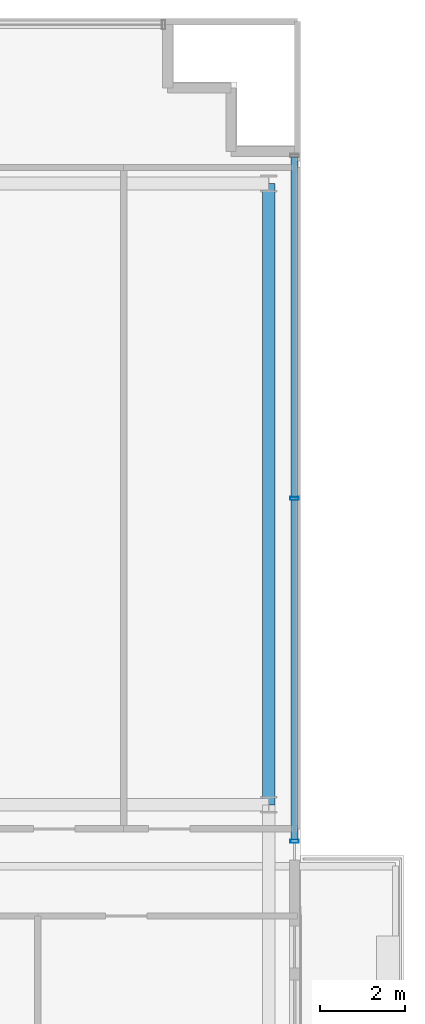
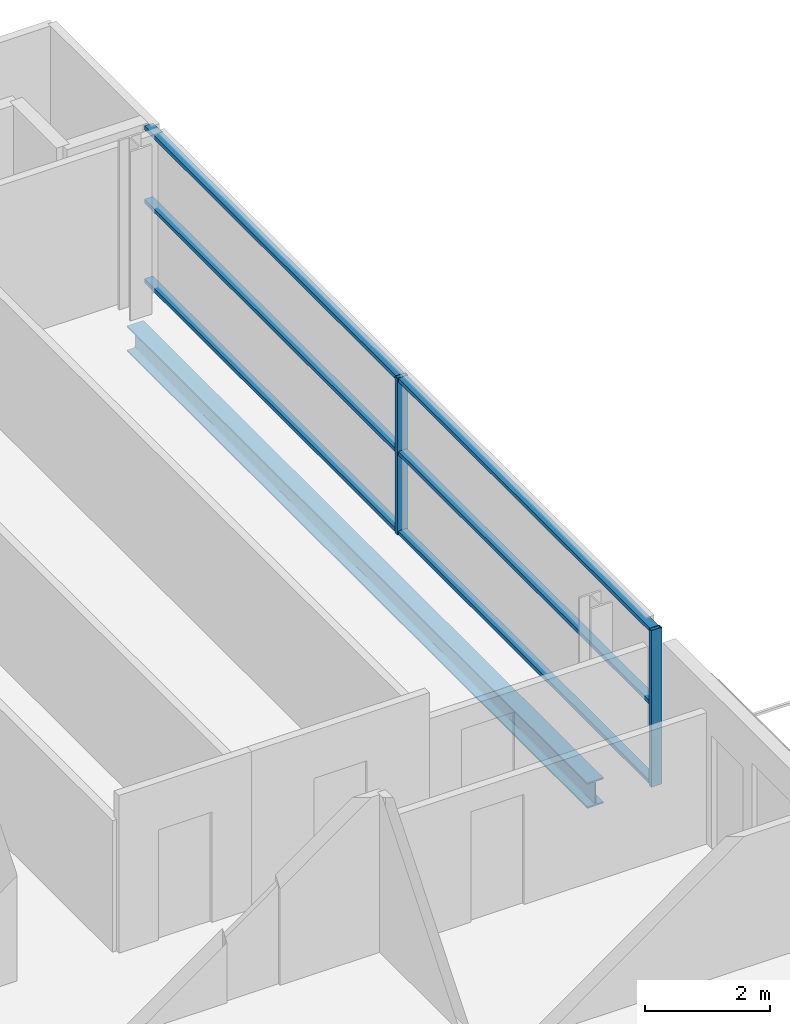
# One storey, part 9 of 21: 8 members, 1 beam, 1 element without a shape of its own.
"""IFC4 building model written with IfcOpenShell, lengths in metres."""

from ifc_helpers import new_model, si_unit, direction, frame, origin, origin_2d, place, context, subcontext, project, spatial, hollow_rectangle, i_section, extrude, source, transform, mapped, material, layer, layer_set, material_profile, profile_set, type_object, element, aggregate, save


model = new_model("IFC4")

# Units and contexts
model_context = context("Model", 3, precision=1e-05, world=origin(), true_north=direction((0.0, 1.0)))
body_context = subcontext(model_context, "Body", "Model", "MODEL_VIEW")
ifc_project = project(units=[si_unit("LENGTHUNIT", "METRE"), si_unit("AREAUNIT", "SQUARE_METRE"), si_unit("VOLUMEUNIT", "CUBIC_METRE"), si_unit("PLANEANGLEUNIT", "RADIAN"), si_unit("MASSUNIT", "GRAM", prefix="KILO")], contexts=[model_context])

# Site, building, storey
site_placement = place(None, origin())
site = spatial("IfcSite", under=ifc_project, at=site_placement, CompositionType="ELEMENT")
building_placement = place(site_placement, origin())
building = spatial("IfcBuilding", under=site, at=building_placement, Name="Zarnakvel Exchange Tower", CompositionType="ELEMENT")
storey_placement = place(building_placement, frame((0.0, 0.0, 182.5)))
storey = spatial("IfcBuildingStorey", under=building, at=storey_placement, Name="L51", CompositionType="ELEMENT", Elevation=182.5)

# Beam
ifc_material_1 = material(Name="Steel S355", Category="steel")
ifc_material_profile_1 = material_profile(ifc_material_1, i_section(OverallWidth=0.300048828125, OverallDepth=0.5, WebThickness=0.014404296875, FlangeThickness=0.028076171875, FilletRadius=0.027099609375, at=origin_2d()))
ifc_profile_set_1 = profile_set([ifc_material_profile_1], Name="Steel S355")
beam_type = type_object("IfcBeamType", Name="SP-02", PredefinedType="SPANDREL", material=ifc_profile_set_1)
beam_placement = place(storey_placement, frame((25.85009765625, -1.199951171875, -0.47509765625), z_axis=(0.0, 1.0, 0.0), x_axis=(-1.0, 0.0, 0.0)))
element("IfcBeam", 1, at=beam_placement, inside=storey, type_object=beam_type, Name="L51 Tower N-S Frame Beam", PredefinedType="SPANDREL", context=body_context, shape_type="SweptSolid", body=[
    extrude(i_section(OverallWidth=0.300048828125, OverallDepth=0.5, WebThickness=0.014404296875, FlangeThickness=0.028076171875, FilletRadius=0.027099609375, at=origin_2d()), origin(), (0.0, 0.0, 1.0), 14.699951171875),
])

# Curtain wall, members
ifc_material_2 = material(Name="Architectural Bronze Anodised Aluminium", Category="aluminium")
ifc_layer = layer(ifc_material_2, 0.199951171875)
ifc_layer_set = layer_set([ifc_layer], Name="Architectural Bronze Anodised Aluminium")
curtain_wall_type = type_object("IfcCurtainWallType", Name="CW-04", PredefinedType="NOTDEFINED", material=ifc_layer_set)
curtain_wall_placement = place(storey_placement, origin())
curtain_wall = element("IfcCurtainWall", 2, at=curtain_wall_placement, inside=storey, type_object=curtain_wall_type, Name="L51 Curtain Wall CW-L51-EN (CW-04)", PredefinedType="NOTDEFINED")
ifc_material_profile_2 = material_profile(ifc_material_2, hollow_rectangle(XDim=0.199951171875, YDim=0.074951171875, WallThickness=0.0048828125, at=origin_2d()))
ifc_profile_set_2 = profile_set([ifc_material_profile_2], Name="Architectural Bronze Anodised Aluminium")
member_type_1 = type_object("IfcMemberType", Name="CWM-04", PredefinedType="MULLION", material=ifc_profile_set_2)
shared_shape_1 = source(origin(), body_context, "Body", "SweptSolid", [
    extrude(hollow_rectangle(XDim=0.199951171875, YDim=0.074951171875, WallThickness=0.0048828125, at=origin_2d()), origin(), (0.0, 0.0, 1.0), 3.054931640625),
])
member_1_placement = place(storey_placement, frame((26.4599609375, -2.0625, 0.0), z_axis=(0.0, 0.0, 1.0), x_axis=(-1.0, 0.0, 0.0)))
member_1 = element("IfcMember", 3, at=member_1_placement, type_object=member_type_1, Name="CW-04 mullion 1", PredefinedType="MULLION", context=body_context, shape_type="MappedRepresentation", body=[
    mapped(shared_shape_1, transform((0.0, 0.0, 0.0), x_axis=(1.0, 0.0, 0.0), y_axis=(0.0, 1.0, 0.0), z_axis=(0.0, 0.0, 1.0), scale=1.0)),
])
member_2_placement = place(storey_placement, frame((26.4599609375, 6.050048828125, 0.0), z_axis=(0.0, 0.0, 1.0), x_axis=(-1.0, 0.0, 0.0)))
member_2 = element("IfcMember", 4, at=member_2_placement, type_object=member_type_1, Name="CW-04 mullion 2", PredefinedType="MULLION", context=body_context, shape_type="MappedRepresentation", body=[
    mapped(shared_shape_1, transform((0.0, 0.0, 0.0), x_axis=(1.0, 0.0, 0.0), y_axis=(0.0, 1.0, 0.0), z_axis=(0.0, 0.0, 1.0), scale=1.0)),
])
ifc_material_profile_3 = material_profile(ifc_material_2, hollow_rectangle(XDim=0.159912109375, YDim=0.074951171875, WallThickness=0.00390625, at=origin_2d()))
ifc_profile_set_3 = profile_set([ifc_material_profile_3], Name="Architectural Bronze Anodised Aluminium")
member_type_2 = type_object("IfcMemberType", Name="CWT-04", PredefinedType="USERDEFINED", material=ifc_profile_set_3)
shared_shape_2 = source(origin(), body_context, "Body", "SweptSolid", [
    extrude(hollow_rectangle(XDim=0.159912109375, YDim=0.074951171875, WallThickness=0.00390625, at=origin_2d()), origin(), (0.0, 0.0, 1.0), 8.037353515625),
])
member_3_placement = place(storey_placement, frame((26.4599609375, -2.02490234375, 0.03759765625), z_axis=(0.0, 1.0, 0.0), x_axis=(-1.0, 0.0, 0.0)))
member_3 = element("IfcMember", 5, at=member_3_placement, type_object=member_type_2, Name="CW-04 transom 1.1", ObjectType="TRANSOM", PredefinedType="USERDEFINED", context=body_context, shape_type="MappedRepresentation", body=[
    mapped(shared_shape_2, transform((0.0, 0.0, 0.0), x_axis=(1.0, 0.0, 0.0), y_axis=(0.0, 1.0, 0.0), z_axis=(0.0, 0.0, 1.0), scale=1.0)),
])
member_4_placement = place(storey_placement, frame((26.4599609375, -2.02490234375, 1.588623046875), z_axis=(0.0, 1.0, 0.0), x_axis=(-1.0, 0.0, 0.0)))
member_4 = element("IfcMember", 6, at=member_4_placement, type_object=member_type_2, Name="CW-04 transom 1.2", ObjectType="TRANSOM", PredefinedType="USERDEFINED", context=body_context, shape_type="MappedRepresentation", body=[
    mapped(shared_shape_2, transform((0.0, 0.0, 0.0), x_axis=(1.0, 0.0, 0.0), y_axis=(0.0, 1.0, 0.0), z_axis=(0.0, 0.0, 1.0), scale=1.0)),
])
member_5_placement = place(storey_placement, frame((26.4599609375, -2.02490234375, 3.017578125), z_axis=(0.0, 1.0, 0.0), x_axis=(-1.0, 0.0, 0.0)))
member_5 = element("IfcMember", 7, at=member_5_placement, type_object=member_type_2, Name="CW-04 transom 1.3", ObjectType="TRANSOM", PredefinedType="USERDEFINED", context=body_context, shape_type="MappedRepresentation", body=[
    mapped(shared_shape_2, transform((0.0, 0.0, 0.0), x_axis=(1.0, 0.0, 0.0), y_axis=(0.0, 1.0, 0.0), z_axis=(0.0, 0.0, 1.0), scale=1.0)),
])
shared_shape_3 = source(origin(), body_context, "Body", "SweptSolid", [
    extrude(hollow_rectangle(XDim=0.159912109375, YDim=0.074951171875, WallThickness=0.00390625, at=origin_2d()), origin(), (0.0, 0.0, 1.0), 8.03759765625),
])
member_6_placement = place(storey_placement, frame((26.4599609375, 6.08740234375, 0.03759765625), z_axis=(0.0, 1.0, 0.0), x_axis=(-1.0, 0.0, 0.0)))
member_6 = element("IfcMember", 8, at=member_6_placement, type_object=member_type_2, Name="CW-04 transom 2.1", ObjectType="TRANSOM", PredefinedType="USERDEFINED", context=body_context, shape_type="MappedRepresentation", body=[
    mapped(shared_shape_3, transform((0.0, 0.0, 0.0), x_axis=(1.0, 0.0, 0.0), y_axis=(0.0, 1.0, 0.0), z_axis=(0.0, 0.0, 1.0), scale=1.0)),
])
member_7_placement = place(storey_placement, frame((26.4599609375, 6.08740234375, 1.588623046875), z_axis=(0.0, 1.0, 0.0), x_axis=(-1.0, 0.0, 0.0)))
member_7 = element("IfcMember", 9, at=member_7_placement, type_object=member_type_2, Name="CW-04 transom 2.2", ObjectType="TRANSOM", PredefinedType="USERDEFINED", context=body_context, shape_type="MappedRepresentation", body=[
    mapped(shared_shape_3, transform((0.0, 0.0, 0.0), x_axis=(1.0, 0.0, 0.0), y_axis=(0.0, 1.0, 0.0), z_axis=(0.0, 0.0, 1.0), scale=1.0)),
])
member_8_placement = place(storey_placement, frame((26.4599609375, 6.08740234375, 3.017578125), z_axis=(0.0, 1.0, 0.0), x_axis=(-1.0, 0.0, 0.0)))
member_8 = element("IfcMember", 10, at=member_8_placement, type_object=member_type_2, Name="CW-04 transom 2.3", ObjectType="TRANSOM", PredefinedType="USERDEFINED", context=body_context, shape_type="MappedRepresentation", body=[
    mapped(shared_shape_3, transform((0.0, 0.0, 0.0), x_axis=(1.0, 0.0, 0.0), y_axis=(0.0, 1.0, 0.0), z_axis=(0.0, 0.0, 1.0), scale=1.0)),
])
aggregate(curtain_wall, [member_1, member_2, member_3, member_4, member_5, member_6, member_7, member_8])

save(model, "model.ifc")
